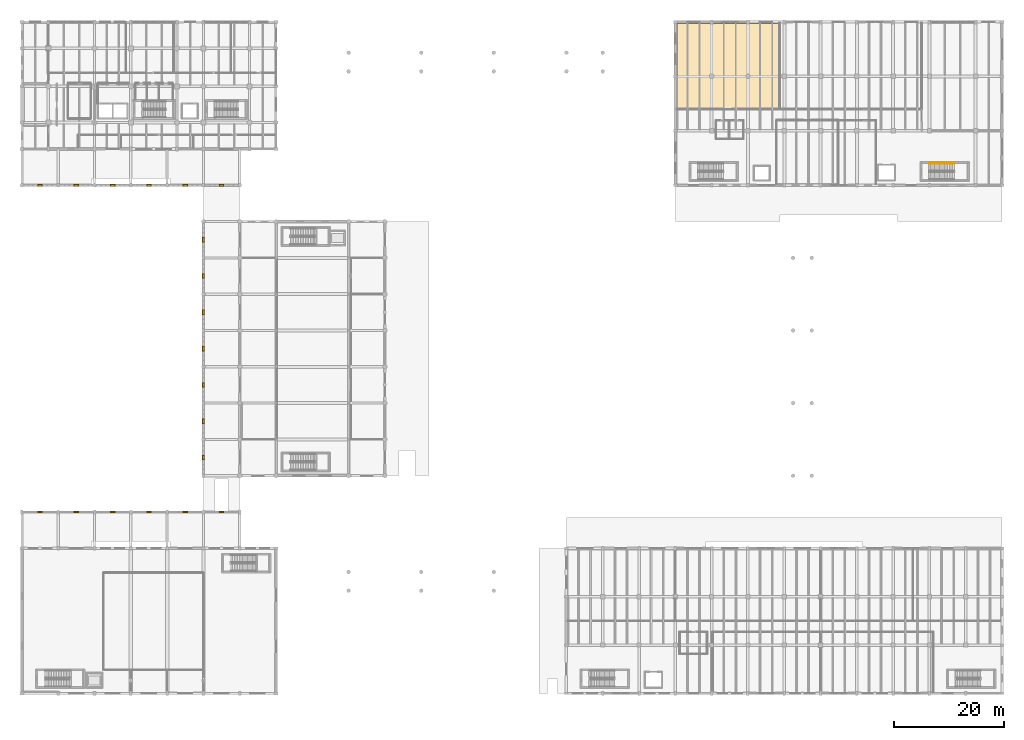
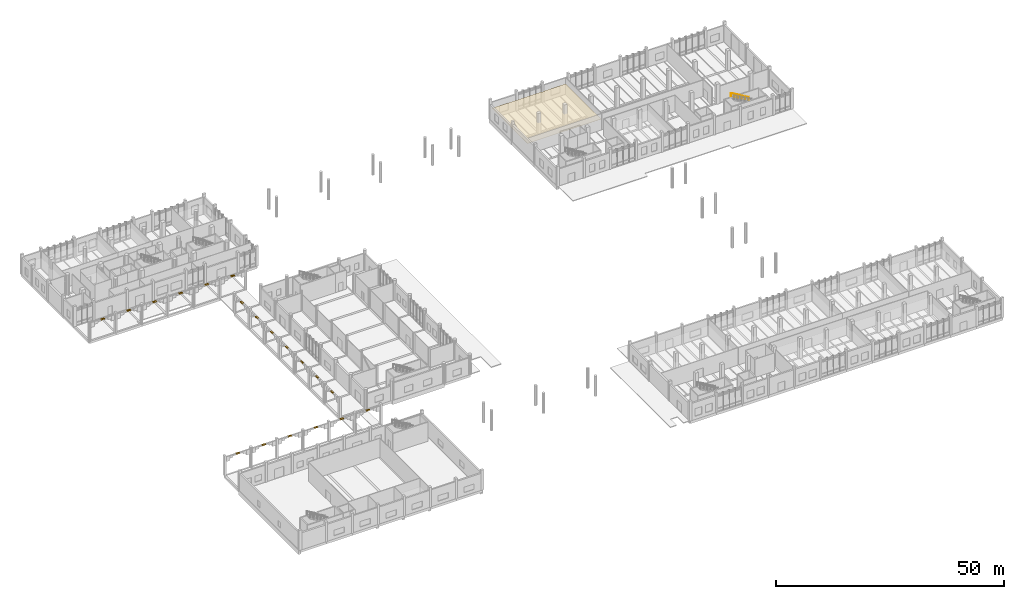
# One storey, part 71 of 72: 20 coverings, 1 railing.
"""IFC4 building model written with IfcOpenShell, lengths in metres."""

from ifc_helpers import new_model, si_unit, direction, frame, origin, origin_2d, place, context, subcontext, project, spatial, polyline, rectangle, circle, outline, extrude, material, layer, layer_set, type_object, element, save


model = new_model("IFC4")

# Units and contexts
model_context = context("Model", 3, precision=1e-05, world=origin(), true_north=direction((0.0, 1.0)))
body_context = subcontext(model_context, "Body", "Model", "MODEL_VIEW")
ifc_project = project(units=[si_unit("LENGTHUNIT", "METRE"), si_unit("AREAUNIT", "SQUARE_METRE"), si_unit("VOLUMEUNIT", "CUBIC_METRE"), si_unit("PLANEANGLEUNIT", "RADIAN"), si_unit("MASSUNIT", "GRAM", prefix="KILO")], contexts=[model_context])

# Site, building, storey
site_placement = place(None, origin())
site = spatial("IfcSite", under=ifc_project, at=site_placement, CompositionType="ELEMENT")
building_placement = place(site_placement, origin())
building = spatial("IfcBuilding", under=site, at=building_placement, Name="Dornvale Research Institute", CompositionType="ELEMENT")
storey_placement = place(building_placement, origin())
storey = spatial("IfcBuildingStorey", under=building, at=storey_placement, Name="L00", CompositionType="ELEMENT", Elevation=0.0)

# Coverings
ifc_material_1 = material(Name="Mineral-Fibre Acoustic Lay-In Ceiling Tile System")
ifc_layer_1 = layer(ifc_material_1, 0.02001953125)
ifc_layer_set_1 = layer_set([ifc_layer_1], Name="Mineral-Fibre Acoustic Lay-In Ceiling Tile System")
covering_type_1 = type_object("IfcCoveringType", Name="Covering_Acoustic_Ceiling", PredefinedType="CEILING", material=ifc_layer_set_1)
covering_placement = place(storey_placement, frame((0.0, 0.0, 2.85009765625)))
element("IfcCovering", 1, at=covering_placement, inside=storey, type_object=covering_type_1, Name="L00 Introductory Wet Chemistry Laboratory suspended ceiling", PredefinedType="CEILING", context=body_context, shape_type="SweptSolid", body=[
    extrude(outline(polyline([(132.300048828125, 121.800048828125), (137.780029296875, 121.800048828125), (137.780029296875, 106.219970703125), (119.10009765625, 106.219970703125), (119.10009765625, 111.89990234375), (119.199951171875, 111.89990234375), (119.199951171875, 112.5), (119.10009765625, 112.5), (119.10009765625, 121.800048828125), (119.199951171875, 121.800048828125), (125.10009765625, 121.800048828125), (125.10009765625, 121.699951171875), (125.699951171875, 121.699951171875), (125.699951171875, 121.800048828125), (131.699951171875, 121.800048828125), (131.699951171875, 121.699951171875), (132.300048828125, 121.699951171875), (132.300048828125, 121.800048828125)])), origin(), (0.0, 0.0, 1.0), 0.02001953125),
])
ifc_material_2 = material(Name="Architectural Glazed Terracotta Voussoir Cladding", Category="masonry")
ifc_layer_2 = layer(ifc_material_2, 0.360107421875)
ifc_layer_set_2 = layer_set([ifc_layer_2], Name="Architectural Glazed Terracotta Voussoir Cladding")
covering_type_2 = type_object("IfcCoveringType", Name="Covering_Arcade_ParabolicArch", PredefinedType="CLADDING", material=ifc_layer_set_2)
for number, where, z_axis, x_axis, name in (
    (2, (3.300048828125, 33.0, 4.66015625), (0.0, 0.0, 1.0), (1.0, 0.0, 0.0), "Dornvale Square parabolic colonnade arch segment #4"),
    (3, (3.300048828125, 92.39990234375, 4.66015625), (0.0, 0.0, 1.0), (1.0, 0.0, 0.0), "Dornvale Square parabolic colonnade arch segment #11"),
    (4, (9.89990234375, 33.0, 4.66015625), (0.0, 0.0, 1.0), (1.0, 0.0, 0.0), "Dornvale Square parabolic colonnade arch segment #18"),
    (5, (9.89990234375, 92.39990234375, 4.66015625), (0.0, 0.0, 1.0), (1.0, 0.0, 0.0), "Dornvale Square parabolic colonnade arch segment #25"),
    (6, (16.5, 33.0, 4.66015625), (0.0, 0.0, 1.0), (1.0, 0.0, 0.0), "Dornvale Square parabolic colonnade arch segment #32"),
    (7, (16.5, 92.39990234375, 4.66015625), (0.0, 0.0, 1.0), (1.0, 0.0, 0.0), "Dornvale Square parabolic colonnade arch segment #39"),
    (8, (23.10009765625, 33.0, 4.66015625), (0.0, 0.0, 1.0), (1.0, 0.0, 0.0), "Dornvale Square parabolic colonnade arch segment #46"),
    (9, (23.10009765625, 92.39990234375, 4.66015625), (0.0, 0.0, 1.0), (1.0, 0.0, 0.0), "Dornvale Square parabolic colonnade arch segment #53"),
    (10, (29.699951171875, 33.0, 4.66015625), (0.0, 0.0, 1.0), (1.0, 0.0, 0.0), "Dornvale Square parabolic colonnade arch segment #60"),
    (11, (29.699951171875, 92.39990234375, 4.66015625), (0.0, 0.0, 1.0), (1.0, 0.0, 0.0), "Dornvale Square parabolic colonnade arch segment #67"),
    (12, (36.300048828125, 33.0, 4.66015625), (0.0, 0.0, 1.0), (1.0, 0.0, 0.0), "Dornvale Square parabolic colonnade arch segment #74"),
    (13, (36.300048828125, 92.39990234375, 4.66015625), (0.0, 0.0, 1.0), (1.0, 0.0, 0.0), "Dornvale Square parabolic colonnade arch segment #81"),
    (14, (33.0, 42.89990234375, 4.66015625), (0.0, 0.0, 1.0), (0.0, 1.0, 0.0), "Dornvale Square parabolic colonnade arch segment #88"),
    (15, (33.0, 49.5, 4.66015625), (0.0, 0.0, 1.0), (0.0, 1.0, 0.0), "Dornvale Square parabolic colonnade arch segment #95"),
    (16, (33.0, 56.10009765625, 4.66015625), (0.0, 0.0, 1.0), (0.0, 1.0, 0.0), "Dornvale Square parabolic colonnade arch segment #102"),
    (17, (33.0, 62.699951171875, 4.66015625), (0.0, 0.0, 1.0), (0.0, 1.0, 0.0), "Dornvale Square parabolic colonnade arch segment #109"),
    (18, (33.0, 69.300048828125, 4.66015625), (0.0, 0.0, 1.0), (0.0, 1.0, 0.0), "Dornvale Square parabolic colonnade arch segment #116"),
    (19, (33.0, 75.89990234375, 4.66015625), (0.0, 0.0, 1.0), (0.0, 1.0, 0.0), "Dornvale Square parabolic colonnade arch segment #123"),
    (20, (33.0, 82.5, 4.66015625), (0.0, 0.0, 1.0), (0.0, 1.0, 0.0), "Dornvale Square parabolic colonnade arch segment #130"),
):
    element("IfcCovering", number, at=place(storey_placement, frame(where, z_axis=z_axis, x_axis=x_axis)), inside=storey, type_object=covering_type_2, Name=name, PredefinedType="CLADDING", context=body_context, shape_type="SweptSolid", body=[
        extrude(rectangle(XDim=0.871337890625, YDim=0.360107421875, at=origin_2d()), origin(), (0.0, 0.0, 1.0), 0.219970703125),
    ])

# Railing
ifc_material_3 = material(Name="Galvanized Painted Tubular Steel Stair Rail", Category="steel")
ifc_layer_3 = layer(ifc_material_3, 0.044921875)
ifc_layer_set_3 = layer_set([ifc_layer_3], Name="Galvanized Painted Tubular Steel Stair Rail")
railing_type = type_object("IfcRailingType", Name="Railing_Stair_Handrail_900", PredefinedType="HANDRAIL", material=ifc_layer_set_3)
railing_placement = place(storey_placement, frame((169.52001953125, 96.35009765625, 2.86865234375)))
element("IfcRailing", 21, at=railing_placement, inside=storey, type_object=railing_type, Name="L00 ST-4 stair handrail 2", PredefinedType="HANDRAIL", context=body_context, shape_type="SweptSolid", body=[
    extrude(circle(Radius=0.02392578125, at=origin_2d()), frame((0.0, 0.0, 0.8759765625), z_axis=(-0.871575537125, 0.0, 0.490261239633), x_axis=(0.0, -1.0, 0.0)), (0.0, 0.0, 1.0), 5.1630859375),
    extrude(circle(Radius=0.02099609375, at=origin_2d()), origin(), (0.0, 0.0, 1.0), 0.851806640625),
    extrude(circle(Radius=0.02099609375, at=origin_2d()), frame((-0.89990234375, 0.0, 0.50634765625)), (0.0, 0.0, 1.0), 0.851806640625),
    extrude(circle(Radius=0.02099609375, at=origin_2d()), frame((-1.800048828125, 0.0, 1.012451171875)), (0.0, 0.0, 1.0), 0.851806640625),
    extrude(circle(Radius=0.02099609375, at=origin_2d()), frame((-2.699951171875, 0.0, 1.518798828125)), (0.0, 0.0, 1.0), 0.851806640625),
    extrude(circle(Radius=0.02099609375, at=origin_2d()), frame((-3.60009765625, 0.0, 2.02490234375)), (0.0, 0.0, 1.0), 0.851806640625),
    extrude(circle(Radius=0.02099609375, at=origin_2d()), frame((-4.5, 0.0, 2.53125)), (0.0, 0.0, 1.0), 0.851806640625),
])

save(model, "model.ifc")
